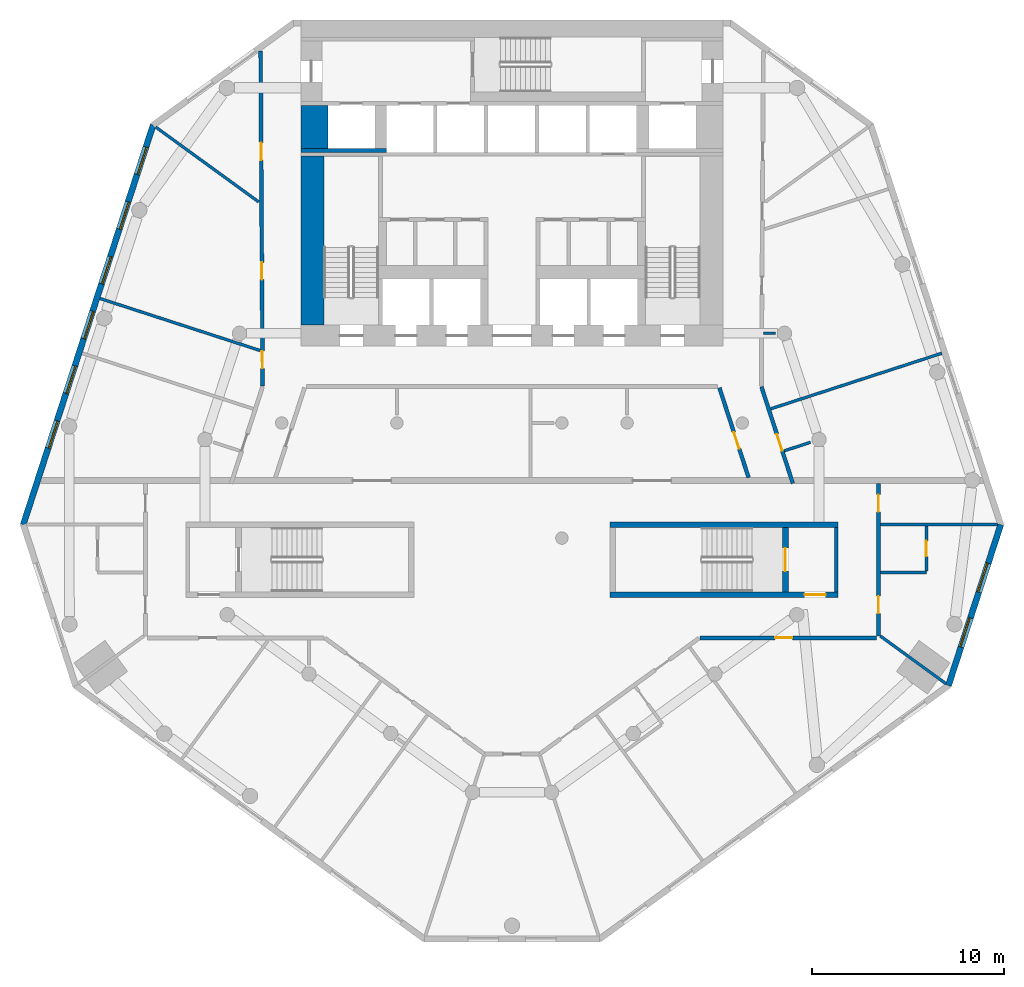
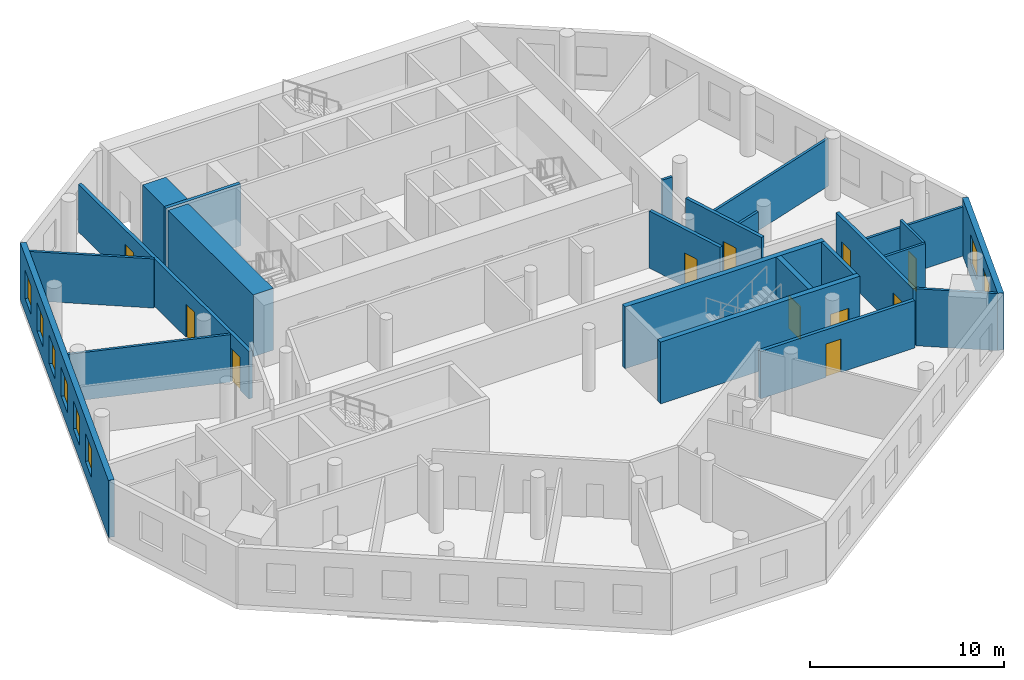
# One storey, part 4 of 9: 23 walls, 11 doors, 8 windows, 19 openings.
"""IFC4 building model written with IfcOpenShell, lengths in metres."""

import ifcopenshell
import ifcopenshell.guid

model = None  # the IFC model being written
_history = None  # IfcOwnerHistory: only IFC2X3 demands one
_inside = {}  # id of a spatial element -> (the spatial element, [elements in it])
_under = {}  # id of a project, library or spatial element -> (it, [spatial elements below it])
_declared = {}  # id of a project -> (the project, [libraries it declares])
_typed = {}  # id of a type object -> (the type object, [elements of that type])
_made_of = {}  # id of a material, layer set ... -> (it, [elements and type objects made of it])


def new_model(schema):
    """Start an empty IFC model of exactly this schema.

    Asked for "IFC4X3", IfcOpenShell would pick the latest addendum, in which some entities
    have other attributes; the version numbers below select the first issue.
    IFC2X3 requires an IfcOwnerHistory on every rooted entity: one is made here for all.
    """
    global model, _history
    if schema == "IFC4X3":
        model = ifcopenshell.file(schema_version=(4, 3, 0, 0))
    else:
        model = ifcopenshell.file(schema=schema)
    _inside.clear()
    _under.clear()
    _declared.clear()
    _typed.clear()
    _made_of.clear()
    _history = None
    if model.schema == "IFC2X3":
        org = make("IfcOrganization", Name="unknown")
        user = make(
            "IfcPersonAndOrganization",
            ThePerson=make("IfcPerson", FamilyName="unknown"),
            TheOrganization=org,
        )
        app = make(
            "IfcApplication",
            ApplicationDeveloper=org,
            Version="unknown",
            ApplicationFullName="unknown",
            ApplicationIdentifier="unknown",
        )
        _history = make(
            "IfcOwnerHistory",
            OwningUser=user,
            OwningApplication=app,
            ChangeAction="ADDED",
            CreationDate=0,
        )
    return model


def make(cls, **values):
    """One entity of the class cls with the attributes given. An attribute that is None is left unset."""
    return model.create_entity(
        cls, **{name: value for name, value in values.items() if value is not None}
    )


def rooted(cls, **values):
    """An entity with a GlobalId (a new one), such as an element, a storey or a relation."""
    return make(cls, GlobalId=ifcopenshell.guid.new(), OwnerHistory=_history, **values)


def si_unit(unit_type, name, prefix=None):
    """IfcSIUnit, for example si_unit("LENGTHUNIT", "METRE", prefix="MILLI")."""
    return make("IfcSIUnit", UnitType=unit_type, Prefix=prefix, Name=name)


def assignment(units):
    """IfcUnitAssignment: the units of a project."""
    return None if units is None else make("IfcUnitAssignment", Units=units)


def point(xyz):
    """IfcCartesianPoint."""
    return None if xyz is None else make("IfcCartesianPoint", Coordinates=xyz)


def direction(xyz):
    """IfcDirection."""
    return None if xyz is None else make("IfcDirection", DirectionRatios=xyz)


def frame(location, z_axis=None, x_axis=None):
    """IfcAxis2Placement3D, a coordinate frame: its origin and axes. An axis left out is left unset."""
    return make(
        "IfcAxis2Placement3D",
        Location=point(location),
        Axis=direction(z_axis),
        RefDirection=direction(x_axis),
    )


def frame_2d(location, x_axis=None):
    """IfcAxis2Placement2D, a coordinate frame in the plane: its origin and x axis."""
    return make(
        "IfcAxis2Placement2D", Location=point(location), RefDirection=direction(x_axis)
    )


def origin():
    """The frame at (0, 0, 0) with its axes left unset."""
    return frame((0.0, 0.0, 0.0))


def place(relative_to, where):
    """IfcLocalPlacement: puts the frame where relative to a parent placement (None: the world)."""
    return make(
        "IfcLocalPlacement", PlacementRelTo=relative_to, RelativePlacement=where
    )


def context(
    kind, dimensions, precision=None, world=None, true_north=None, identifier=None
):
    """IfcGeometricRepresentationContext, for example the 3D "Model" context."""
    return make(
        "IfcGeometricRepresentationContext",
        ContextIdentifier=identifier,
        ContextType=kind,
        CoordinateSpaceDimension=dimensions,
        Precision=precision,
        WorldCoordinateSystem=world,
        TrueNorth=true_north,
    )


def subcontext(parent, identifier, kind, view, scale=None):
    """IfcGeometricRepresentationSubContext, for example "Body" below "Model"."""
    return make(
        "IfcGeometricRepresentationSubContext",
        ContextIdentifier=identifier,
        ContextType=kind,
        ParentContext=parent,
        TargetScale=scale,
        TargetView=view,
    )


def project(units=None, contexts=None):
    """IfcProject with its units and contexts."""
    return rooted(
        "IfcProject",
        Name="project",
        RepresentationContexts=contexts,
        UnitsInContext=assignment(units),
    )


def spatial(cls, under=None, at=None, **own):
    """A site, building, storey or space (cls), placed at a placement, below another one or the project."""
    s = rooted(cls, ObjectPlacement=at, **own)
    if under is not None:
        _under.setdefault(under.id(), (under, []))[1].append(s)
    return s


def profile(cls, at=None, kind="AREA", **sizes):
    """A parametric profile (cls). Its sizes go by their IFC names, for example OverallWidth=200.0."""
    return make(cls, ProfileType=kind, Position=at, **sizes)


def rectangle(**sizes):
    """IfcRectangleProfileDef."""
    return profile("IfcRectangleProfileDef", **sizes)


def extrude(swept, where, along, depth):
    """IfcExtrudedAreaSolid: the profile swept, set in the frame where, extruded along a direction by depth."""
    return make(
        "IfcExtrudedAreaSolid",
        SweptArea=swept,
        Position=where,
        ExtrudedDirection=direction(along),
        Depth=depth,
    )


def shape(context_of_items, identifier, shape_type, items):
    """IfcShapeRepresentation: the items that make up one representation, for example the "Body"."""
    return make(
        "IfcShapeRepresentation",
        ContextOfItems=context_of_items,
        RepresentationIdentifier=identifier,
        RepresentationType=shape_type,
        Items=items,
    )


def material(Name=None, Category=None):
    """IfcMaterial."""
    return make("IfcMaterial", Name=Name, Category=Category)


def layer(
    of_material, thickness, ventilated=None, Name=None, Category=None, Priority=None
):
    """IfcMaterialLayer: one layer of a wall or slab, of a material (None: an air gap)."""
    return make(
        "IfcMaterialLayer",
        Material=of_material,
        LayerThickness=thickness,
        IsVentilated=ventilated,
        Name=Name,
        Category=Category,
        Priority=Priority,
    )


def layer_set(layers, Name=None):
    """IfcMaterialLayerSet."""
    return make("IfcMaterialLayerSet", MaterialLayers=layers, LayerSetName=Name)


def made_of(thing, what):
    """Note that an element or type object is made of a material, layer set ...; save() writes the relation."""
    if what is not None:
        _made_of.setdefault(what.id(), (what, []))[1].append(thing)
    return thing


def type_object(cls, material=None, **own):
    """A type object (cls), such as IfcWallType, which elements share."""
    return made_of(rooted(cls, **own), material)


def element(
    cls,
    number,
    at=None,
    inside=None,
    cuts=None,
    type_object=None,
    material=None,
    context=None,
    identifier="Body",
    shape_type=None,
    held_by="IfcProductDefinitionShape",
    body=None,
    shapes=None,
    **own,
):
    """One element of the class cls, such as IfcWall. Its Tag is "e" and its number.

    at: its placement. inside: the storey or other place that contains it. cuts: it is an
    opening in that element (IfcRelVoidsElement). A single representation is given by context,
    identifier, shape_type and body (its items); several are given by shapes. held_by: the class
    of the entity that holds the representations. save() writes the other relations.
    """
    e = rooted(cls, Tag="e%d" % number, ObjectPlacement=at, **own)
    if body is not None:
        shapes = [shape(context, identifier, shape_type, body)]
    if shapes is not None:
        e.Representation = make(held_by, Representations=shapes)
    if inside is not None:
        _inside.setdefault(inside.id(), (inside, []))[1].append(e)
    if cuts is not None:
        rooted(
            "IfcRelVoidsElement", RelatingBuildingElement=cuts, RelatedOpeningElement=e
        )
    if type_object is not None:
        _typed.setdefault(type_object.id(), (type_object, []))[1].append(e)
    return made_of(e, material)


def fill(opening, filler):
    """IfcRelFillsElement: the door or window that sits in an opening."""
    return rooted(
        "IfcRelFillsElement",
        RelatingOpeningElement=opening,
        RelatedBuildingElement=filler,
    )


def aggregate(whole, parts):
    """IfcRelAggregates: a whole, such as a stair, and the parts it consists of."""
    return rooted("IfcRelAggregates", RelatingObject=whole, RelatedObjects=parts)


def save(model, path):
    """Write the relations noted so far, then the file.

    IfcRelAggregates (storeys below a building ...), IfcRelContainedInSpatialStructure (elements
    in a storey), IfcRelDefinesByType, IfcRelAssociatesMaterial and IfcRelDeclares: one each for
    every whole, place, type object, material and project.
    """
    for whole, parts in _under.values():
        aggregate(whole, parts)
    for where, things in _inside.values():
        rooted(
            "IfcRelContainedInSpatialStructure",
            RelatedElements=things,
            RelatingStructure=where,
        )
    for kind, things in _typed.values():
        rooted("IfcRelDefinesByType", RelatedObjects=things, RelatingType=kind)
    for what, things in _made_of.values():
        rooted("IfcRelAssociatesMaterial", RelatedObjects=things, RelatingMaterial=what)
    for by, libraries in _declared.values():
        rooted("IfcRelDeclares", RelatingContext=by, RelatedDefinitions=libraries)
    model.write(path)


model = new_model("IFC4")

# Units and contexts
model_context = context("Model", 3, precision=1e-05, world=origin(), true_north=direction((0.0, 1.0)))
body_context = subcontext(model_context, "Body", "Model", "MODEL_VIEW")
ifc_project = project(units=[si_unit("LENGTHUNIT", "METRE"), si_unit("AREAUNIT", "SQUARE_METRE"), si_unit("VOLUMEUNIT", "CUBIC_METRE"), si_unit("PLANEANGLEUNIT", "RADIAN"), si_unit("MASSUNIT", "GRAM", prefix="KILO")], contexts=[model_context])

# Site, building, storey
site_placement = place(None, origin())
site = spatial("IfcSite", under=ifc_project, at=site_placement, CompositionType="ELEMENT")
building_placement = place(site_placement, origin())
building = spatial("IfcBuilding", under=site, at=building_placement, Name="White Candle Pilgrim Tower", CompositionType="ELEMENT")
storey_placement = place(building_placement, frame((0.0, 0.0, 129.800048828125)))
storey = spatial("IfcBuildingStorey", under=building, at=storey_placement, Name="L29", CompositionType="ELEMENT", Elevation=129.800048828125)

# Walls
ifc_material_1 = material(Name="Concrete C60/75", Category="concrete")
ifc_layer_1 = layer(ifc_material_1, 1.39990234375)
ifc_layer_set_1 = layer_set([ifc_layer_1], Name="Core wall 1400 mm Concrete C60/75")
wall_type_1 = type_object("IfcWallType", Name="Core wall 1400 mm Concrete C60/75", PredefinedType="SHEAR", material=ifc_layer_set_1)
wall_1_placement = place(storey_placement, frame((59.699951171875, 81.300048828125, 0.0), z_axis=(0.0, 0.0, 1.0), x_axis=(0.0, 1.0, 0.0)))
element("IfcWall", 1, at=wall_1_placement, inside=storey, type_object=wall_type_1, Name="WL-L29-C41", PredefinedType="SHEAR", context=body_context, shape_type="SweptSolid", body=[
    extrude(rectangle(XDim=2.25, YDim=1.39990234375, at=frame_2d((1.125, 0.0))), origin(), (0.0, 0.0, 1.0), 3.89990234375),
])
ifc_layer_2 = layer(ifc_material_1, 0.199951171875)
ifc_layer_set_2 = layer_set([ifc_layer_2], Name="Core wall 200 mm Concrete C60/75")
wall_type_2 = type_object("IfcWallType", Name="Core wall 200 mm Concrete C60/75", PredefinedType="SHEAR", material=ifc_layer_set_2)
wall_2_placement = place(storey_placement, frame((86.89990234375, 58.199951171875, 0.0), z_axis=(0.0, 0.0, 1.0), x_axis=(0.0, 1.0, 0.0)))
element("IfcWall", 2, at=wall_2_placement, inside=storey, type_object=wall_type_2, Name="WL-L29-C08", PredefinedType="SHEAR", context=body_context, shape_type="SweptSolid", body=[
    extrude(rectangle(XDim=3.35009765625, YDim=0.199951171875, at=frame_2d((1.675048828125, 0.0))), origin(), (0.0, 0.0, 1.0), 3.89990234375),
])
wall_3_placement = place(storey_placement, frame((59.0, 81.199951171875, 0.0), z_axis=(0.0, 0.0, 1.0), x_axis=(1.0, 0.0, 0.0)))
element("IfcWall", 3, at=wall_3_placement, inside=storey, type_object=wall_type_2, Name="WL-L29-C35", PredefinedType="SHEAR", context=body_context, shape_type="SweptSolid", body=[
    extrude(rectangle(XDim=4.449951171875, YDim=0.199951171875, at=frame_2d((2.22509765625, 0.0))), origin(), (0.0, 0.0, 1.0), 3.89990234375),
])

# Wall, openings, doors
ifc_material_2 = material(Name="Gypsum board on steel studs", Category="steel")
ifc_layer_3 = layer(ifc_material_2, 0.199951171875)
ifc_layer_set_3 = layer_set([ifc_layer_3], Name="Corridor wall 200 mm EI 45")
wall_type_3 = type_object("IfcWallType", Name="Corridor wall 200 mm EI 45", PredefinedType="PARTITIONING", material=ifc_layer_set_3)
wall_4_placement = place(storey_placement, frame((57.00390625, 68.916015625, 0.0), z_axis=(0.0, 0.0, 1.0), x_axis=(-0.005949698459, 0.999982300387, 0.0)))
wall_4 = element("IfcWall", 4, at=wall_4_placement, inside=storey, type_object=wall_type_3, Name="WL-L29-P003", PredefinedType="PARTITIONING", context=body_context, shape_type="SweptSolid", body=[
    extrude(rectangle(XDim=17.48046875, YDim=0.199951171875, at=frame_2d((8.740234375, 0.0))), origin(), (0.0, 0.0, 1.0), 3.0),
])
opening_1_placement = place(wall_4_placement, frame((0.931396484375, 0.0, 0.0)))
opening_1 = element("IfcOpeningElement", 5, at=opening_1_placement, cuts=wall_4, Name="Opening T09-118", PredefinedType="OPENING", context=body_context, shape_type="SweptSolid", body=[
    extrude(rectangle(XDim=0.89990234375, YDim=2.10009765625, at=frame_2d((0.449951171875, 1.050048828125))), frame((0.0, 0.10986328125, 0.0), z_axis=(0.0, -1.0, 0.0), x_axis=(1.0, 0.0, 0.0)), (0.0, 0.0, 1.0), 0.219970703125),
])
opening_2_placement = place(wall_4_placement, frame((5.552978515625, 0.0, 0.0)))
opening_2 = element("IfcOpeningElement", 6, at=opening_2_placement, cuts=wall_4, Name="Opening T09-119", PredefinedType="OPENING", context=body_context, shape_type="SweptSolid", body=[
    extrude(rectangle(XDim=0.89990234375, YDim=2.10009765625, at=frame_2d((0.449951171875, 1.050048828125))), frame((0.0, 0.10986328125, 0.0), z_axis=(0.0, -1.0, 0.0), x_axis=(1.0, 0.0, 0.0)), (0.0, 0.0, 1.0), 0.219970703125),
])
opening_3_placement = place(wall_4_placement, frame((11.786376953125, 0.0, 0.0)))
opening_3 = element("IfcOpeningElement", 7, at=opening_3_placement, cuts=wall_4, Name="Opening T09-120", PredefinedType="OPENING", context=body_context, shape_type="SweptSolid", body=[
    extrude(rectangle(XDim=0.89990234375, YDim=2.10009765625, at=frame_2d((0.449951171875, 1.050048828125))), frame((0.0, 0.10986328125, 0.0), z_axis=(0.0, -1.0, 0.0), x_axis=(1.0, 0.0, 0.0)), (0.0, 0.0, 1.0), 0.219970703125),
])
ifc_material_3 = material(Name="Steel door leaf", Category="steel")
door_type_1 = type_object("IfcDoorType", Name="Fire door 900 x 2100 EI 30", OperationType="NOTDEFINED", PredefinedType="DOOR", material=ifc_material_3)
door_1_placement = place(opening_1_placement, origin())
door_1 = element("IfcDoor", 8, at=door_1_placement, inside=storey, type_object=door_type_1, Name="Door T09-118", OperationType="SINGLE_SWING_RIGHT", OverallHeight=2.10009765625, OverallWidth=0.89990234375, PredefinedType="DOOR", context=body_context, shape_type="SweptSolid", body=[
    extrude(rectangle(XDim=0.89990234375, YDim=2.10009765625, at=frame_2d((0.449951171875, 1.050048828125))), frame((0.0, 0.02490234375, 0.0), z_axis=(0.0, -1.0, 0.0), x_axis=(1.0, 0.0, 0.0)), (0.0, 0.0, 1.0), 0.050048828125),
])
fill(opening_1, door_1)
door_2_placement = place(opening_2_placement, origin())
door_2 = element("IfcDoor", 9, at=door_2_placement, inside=storey, type_object=door_type_1, Name="Door T09-119", OperationType="SINGLE_SWING_LEFT", OverallHeight=2.10009765625, OverallWidth=0.89990234375, PredefinedType="DOOR", context=body_context, shape_type="SweptSolid", body=[
    extrude(rectangle(XDim=0.89990234375, YDim=2.10009765625, at=frame_2d((0.449951171875, 1.050048828125))), frame((0.0, 0.02490234375, 0.0), z_axis=(0.0, -1.0, 0.0), x_axis=(1.0, 0.0, 0.0)), (0.0, 0.0, 1.0), 0.050048828125),
])
fill(opening_2, door_2)
door_3_placement = place(opening_3_placement, origin())
door_3 = element("IfcDoor", 10, at=door_3_placement, inside=storey, type_object=door_type_1, Name="Door T09-120", OperationType="SINGLE_SWING_RIGHT", OverallHeight=2.10009765625, OverallWidth=0.89990234375, PredefinedType="DOOR", context=body_context, shape_type="SweptSolid", body=[
    extrude(rectangle(XDim=0.89990234375, YDim=2.10009765625, at=frame_2d((0.449951171875, 1.050048828125))), frame((0.0, 0.02490234375, 0.0), z_axis=(0.0, -1.0, 0.0), x_axis=(1.0, 0.0, 0.0)), (0.0, 0.0, 1.0), 0.050048828125),
])
fill(opening_3, door_3)

# Wall, opening, door
wall_5_placement = place(storey_placement, frame((83.0009765625, 68.884521484375, 0.0), z_axis=(0.0, 0.0, 1.0), x_axis=(0.309051657945, -0.95104525272, 0.0)))
wall_5 = element("IfcWall", 11, at=wall_5_placement, inside=storey, type_object=wall_type_3, Name="WL-L29-P005", PredefinedType="PARTITIONING", context=body_context, shape_type="SweptSolid", body=[
    extrude(rectangle(XDim=5.29345703125, YDim=0.199951171875, at=frame_2d((2.646728515625, 0.0))), origin(), (0.0, 0.0, 1.0), 3.599853515625),
])
opening_4_placement = place(wall_5_placement, frame((2.602294921875, 0.0, 0.0)))
opening_4 = element("IfcOpeningElement", 12, at=opening_4_placement, cuts=wall_5, Name="Opening T09-124", PredefinedType="OPENING", context=body_context, shape_type="SweptSolid", body=[
    extrude(rectangle(XDim=0.89990234375, YDim=2.10009765625, at=frame_2d((0.449951171875, 1.050048828125))), frame((0.0, 0.10986328125, 0.0), z_axis=(0.0, -1.0, 0.0), x_axis=(1.0, 0.0, 0.0)), (0.0, 0.0, 1.0), 0.219970703125),
])
door_4_placement = place(opening_4_placement, origin())
door_4 = element("IfcDoor", 13, at=door_4_placement, inside=storey, type_object=door_type_1, Name="Door T09-124", OperationType="SINGLE_SWING_RIGHT", OverallHeight=2.10009765625, OverallWidth=0.89990234375, PredefinedType="DOOR", context=body_context, shape_type="SweptSolid", body=[
    extrude(rectangle(XDim=0.89990234375, YDim=2.10009765625, at=frame_2d((0.449951171875, 1.050048828125))), frame((0.0, 0.02490234375, 0.0), z_axis=(0.0, -1.0, 0.0), x_axis=(1.0, 0.0, 0.0)), (0.0, 0.0, 1.0), 0.050048828125),
])
fill(opening_4, door_4)

# Wall, openings, doors
wall_6_placement = place(storey_placement, frame((89.10009765625, 63.85009765625, 0.0), z_axis=(0.0, 0.0, 1.0), x_axis=(0.0, -1.0, 0.0)))
wall_6 = element("IfcWall", 14, at=wall_6_placement, inside=storey, type_object=wall_type_3, Name="WL-L29-P006", PredefinedType="PARTITIONING", context=body_context, shape_type="SweptSolid", body=[
    extrude(rectangle(XDim=7.9501953125, YDim=0.199951171875, at=frame_2d((3.97509765625, 0.0))), origin(), (0.0, 0.0, 1.0), 3.599853515625),
])
opening_5_placement = place(wall_6_placement, frame((5.867919921875, 0.0, 0.0)))
opening_5 = element("IfcOpeningElement", 15, at=opening_5_placement, cuts=wall_6, Name="Opening T09-113", PredefinedType="OPENING", context=body_context, shape_type="SweptSolid", body=[
    extrude(rectangle(XDim=0.89990234375, YDim=2.10009765625, at=frame_2d((0.449951171875, 1.050048828125))), frame((0.0, 0.10986328125, 0.0), z_axis=(0.0, -1.0, 0.0), x_axis=(1.0, 0.0, 0.0)), (0.0, 0.0, 1.0), 0.219970703125),
])
opening_6_placement = place(wall_6_placement, frame((0.587890625, 0.0, 0.0)))
opening_6 = element("IfcOpeningElement", 16, at=opening_6_placement, cuts=wall_6, Name="Opening T09-125", PredefinedType="OPENING", context=body_context, shape_type="SweptSolid", body=[
    extrude(rectangle(XDim=0.89990234375, YDim=2.10009765625, at=frame_2d((0.449951171875, 1.050048828125))), frame((0.0, 0.10986328125, 0.0), z_axis=(0.0, -1.0, 0.0), x_axis=(1.0, 0.0, 0.0)), (0.0, 0.0, 1.0), 0.219970703125),
])
door_5_placement = place(opening_5_placement, origin())
door_5 = element("IfcDoor", 17, at=door_5_placement, inside=storey, type_object=door_type_1, Name="Door T09-113", OperationType="SINGLE_SWING_LEFT", OverallHeight=2.10009765625, OverallWidth=0.89990234375, PredefinedType="DOOR", context=body_context, shape_type="SweptSolid", body=[
    extrude(rectangle(XDim=0.89990234375, YDim=2.10009765625, at=frame_2d((0.449951171875, 1.050048828125))), frame((0.0, 0.02490234375, 0.0), z_axis=(0.0, -1.0, 0.0), x_axis=(1.0, 0.0, 0.0)), (0.0, 0.0, 1.0), 0.050048828125),
])
fill(opening_5, door_5)
door_6_placement = place(opening_6_placement, origin())
door_6 = element("IfcDoor", 18, at=door_6_placement, inside=storey, type_object=door_type_1, Name="Door T09-125", OperationType="SINGLE_SWING_LEFT", OverallHeight=2.10009765625, OverallWidth=0.89990234375, PredefinedType="DOOR", context=body_context, shape_type="SweptSolid", body=[
    extrude(rectangle(XDim=0.89990234375, YDim=2.10009765625, at=frame_2d((0.449951171875, 1.050048828125))), frame((0.0, 0.02490234375, 0.0), z_axis=(0.0, -1.0, 0.0), x_axis=(1.0, 0.0, 0.0)), (0.0, 0.0, 1.0), 0.050048828125),
])
fill(opening_6, door_6)

# Wall, opening, door
wall_7_placement = place(storey_placement, frame((89.0, 55.800048828125, 0.0), z_axis=(0.0, 0.0, 1.0), x_axis=(-1.0, 0.0, 0.0)))
wall_7 = element("IfcWall", 19, at=wall_7_placement, inside=storey, type_object=wall_type_3, Name="WL-L29-P007", PredefinedType="PARTITIONING", context=body_context, shape_type="SweptSolid", body=[
    extrude(rectangle(XDim=9.2001953125, YDim=0.199951171875, at=frame_2d((4.60009765625, 0.0))), origin(), (0.0, 0.0, 1.0), 3.0),
])
opening_7_placement = place(wall_7_placement, frame((4.391357421875, 0.0, 0.0)))
opening_7 = element("IfcOpeningElement", 20, at=opening_7_placement, cuts=wall_7, Name="Opening T09-111", PredefinedType="OPENING", context=body_context, shape_type="SweptSolid", body=[
    extrude(rectangle(XDim=0.89990234375, YDim=2.10009765625, at=frame_2d((0.449951171875, 1.050048828125))), frame((0.0, 0.10986328125, 0.0), z_axis=(0.0, -1.0, 0.0), x_axis=(1.0, 0.0, 0.0)), (0.0, 0.0, 1.0), 0.219970703125),
])
door_7_placement = place(opening_7_placement, origin())
door_7 = element("IfcDoor", 21, at=door_7_placement, inside=storey, type_object=door_type_1, Name="Door T09-111", OperationType="SINGLE_SWING_LEFT", OverallHeight=2.10009765625, OverallWidth=0.89990234375, PredefinedType="DOOR", context=body_context, shape_type="SweptSolid", body=[
    extrude(rectangle(XDim=0.89990234375, YDim=2.10009765625, at=frame_2d((0.449951171875, 1.050048828125))), frame((0.0, 0.02490234375, 0.0), z_axis=(0.0, -1.0, 0.0), x_axis=(1.0, 0.0, 0.0)), (0.0, 0.0, 1.0), 0.050048828125),
])
fill(opening_7, door_7)

wall_8_placement = place(storey_placement, frame((82.331298828125, 64.14990234375, 0.0), z_axis=(0.0, 0.0, 1.0), x_axis=(-0.309031112369, 0.951051928965, 0.0)))
wall_8 = element("IfcWall", 22, at=wall_8_placement, inside=storey, type_object=wall_type_3, Name="WL-L29-P015", PredefinedType="PARTITIONING", context=body_context, shape_type="SweptSolid", body=[
    extrude(rectangle(XDim=4.921875, YDim=0.199951171875, at=frame_2d((2.4609375, 0.0))), origin(), (0.0, 0.0, 1.0), 3.599853515625),
])
opening_8_placement = place(wall_8_placement, frame((1.58447265625, 0.0, 0.0)))
opening_8 = element("IfcOpeningElement", 23, at=opening_8_placement, cuts=wall_8, Name="Opening T09-126", PredefinedType="OPENING", context=body_context, shape_type="SweptSolid", body=[
    extrude(rectangle(XDim=0.89990234375, YDim=2.10009765625, at=frame_2d((0.449951171875, 1.050048828125))), frame((0.0, 0.10986328125, 0.0), z_axis=(0.0, -1.0, 0.0), x_axis=(1.0, 0.0, 0.0)), (0.0, 0.0, 1.0), 0.219970703125),
])
door_8_placement = place(opening_8_placement, origin())
door_8 = element("IfcDoor", 24, at=door_8_placement, inside=storey, type_object=door_type_1, Name="Door T09-126", OperationType="SINGLE_SWING_RIGHT", OverallHeight=2.10009765625, OverallWidth=0.89990234375, PredefinedType="DOOR", context=body_context, shape_type="SweptSolid", body=[
    extrude(rectangle(XDim=0.89990234375, YDim=2.10009765625, at=frame_2d((0.449951171875, 1.050048828125))), frame((0.0, 0.02490234375, 0.0), z_axis=(0.0, -1.0, 0.0), x_axis=(1.0, 0.0, 0.0)), (0.0, 0.0, 1.0), 0.050048828125),
])
fill(opening_8, door_8)

# Wall, openings, windows
ifc_material_4 = material(Name="Precast concrete C40/50", Category="concrete")
ifc_layer_4 = layer(ifc_material_4, 0.320068359375)
ifc_layer_set_4 = layer_set([ifc_layer_4], Name="Facade wall EW1 precast concrete C40/50 pier wall with timber-lined reveals")
wall_type_4 = type_object("IfcWallType", Name="Facade wall EW1 precast concrete C40/50 pier wall with timber-lined reveals", PredefinedType="SOLIDWALL", material=ifc_layer_set_4)
wall_9_placement = place(storey_placement, frame((92.74755859375, 53.31494140625, 0.0), z_axis=(0.0, 0.0, 1.0), x_axis=(0.309007169839, 0.951059708424, 0.0)))
wall_9 = element("IfcWall", 25, at=wall_9_placement, inside=storey, type_object=wall_type_4, Name="Facade wall L29 E chamfer", PredefinedType="SOLIDWALL", context=body_context, shape_type="SweptSolid", body=[
    extrude(rectangle(XDim=8.815673828125, YDim=0.320068359375, at=frame_2d((4.40771484375, 0.0))), origin(), (0.0, 0.0, 1.0), 3.599853515625),
])
opening_9_placement = place(wall_9_placement, frame((2.10791015625, 0.0, 0.89990234375)))
opening_9 = element("IfcOpeningElement", 26, at=opening_9_placement, cuts=wall_9, Name="Opening W2", PredefinedType="OPENING", context=body_context, shape_type="SweptSolid", body=[
    extrude(rectangle(XDim=1.60009765625, YDim=1.800048828125, at=frame_2d((0.800048828125, 0.89990234375))), frame((0.0, 0.169921875, 0.0), z_axis=(0.0, -1.0, 0.0), x_axis=(1.0, 0.0, 0.0)), (0.0, 0.0, 1.0), 0.340087890625),
])
opening_10_placement = place(wall_9_placement, frame((5.10791015625, 0.0, 0.89990234375)))
opening_10 = element("IfcOpeningElement", 27, at=opening_10_placement, cuts=wall_9, Name="Opening W2", PredefinedType="OPENING", context=body_context, shape_type="SweptSolid", body=[
    extrude(rectangle(XDim=1.60009765625, YDim=1.800048828125, at=frame_2d((0.800048828125, 0.89990234375))), frame((0.0, 0.169921875, 0.0), z_axis=(0.0, -1.0, 0.0), x_axis=(1.0, 0.0, 0.0)), (0.0, 0.0, 1.0), 0.340087890625),
])
ifc_material_5 = material(Name="Timber frame with triple glazing", Category="wood")
window_type_1 = type_object("IfcWindowType", Name="Window W2 1600x1800 timber frame triple glazing", PartitioningType="SINGLE_PANEL", PredefinedType="WINDOW", material=ifc_material_5)
window_1_placement = place(opening_9_placement, origin())
window_1 = element("IfcWindow", 28, at=window_1_placement, inside=storey, type_object=window_type_1, Name="Window W2 L29 E chamfer 1", OverallHeight=1.800048828125, OverallWidth=1.60009765625, PartitioningType="SINGLE_PANEL", PredefinedType="WINDOW", context=body_context, shape_type="SweptSolid", body=[
    extrude(rectangle(XDim=1.60009765625, YDim=1.800048828125, at=frame_2d((0.800048828125, 0.89990234375))), frame((0.0, 0.070068359375, 0.0), z_axis=(0.0, -1.0, 0.0), x_axis=(1.0, 0.0, 0.0)), (0.0, 0.0, 1.0), 0.06005859375),
])
fill(opening_9, window_1)
window_2_placement = place(opening_10_placement, origin())
window_2 = element("IfcWindow", 29, at=window_2_placement, inside=storey, type_object=window_type_1, Name="Window W2 L29 E chamfer 2", OverallHeight=1.800048828125, OverallWidth=1.60009765625, PartitioningType="SINGLE_PANEL", PredefinedType="WINDOW", context=body_context, shape_type="SweptSolid", body=[
    extrude(rectangle(XDim=1.60009765625, YDim=1.800048828125, at=frame_2d((0.800048828125, 0.89990234375))), frame((0.0, 0.070068359375, 0.0), z_axis=(0.0, -1.0, 0.0), x_axis=(1.0, 0.0, 0.0)), (0.0, 0.0, 1.0), 0.06005859375),
])
fill(opening_10, window_2)

wall_10_placement = place(storey_placement, frame((51.29345703125, 82.520751953125, 0.0), z_axis=(0.0, 0.0, 1.0), x_axis=(-0.309009164157, -0.951059060452, 0.0)))
wall_10 = element("IfcWall", 30, at=wall_10_placement, inside=storey, type_object=wall_type_4, Name="Facade wall L29 WNW", PredefinedType="SOLIDWALL", context=body_context, shape_type="SweptSolid", body=[
    extrude(rectangle(XDim=21.89306640625, YDim=0.320068359375, at=frame_2d((10.946533203125, 0.0))), origin(), (0.0, 0.0, 1.0), 3.599853515625),
])
opening_11_placement = place(wall_10_placement, frame((1.196533203125, 0.0, 0.89990234375)))
opening_11 = element("IfcOpeningElement", 31, at=opening_11_placement, cuts=wall_10, Name="Opening W1", PredefinedType="OPENING", context=body_context, shape_type="SweptSolid", body=[
    extrude(rectangle(XDim=1.5, YDim=1.800048828125, at=frame_2d((0.75, 0.89990234375))), frame((0.0, 0.169921875, 0.0), z_axis=(0.0, -1.0, 0.0), x_axis=(1.0, 0.0, 0.0)), (0.0, 0.0, 1.0), 0.340087890625),
])
opening_12_placement = place(wall_10_placement, frame((4.196533203125, 0.0, 0.89990234375)))
opening_12 = element("IfcOpeningElement", 32, at=opening_12_placement, cuts=wall_10, Name="Opening W1", PredefinedType="OPENING", context=body_context, shape_type="SweptSolid", body=[
    extrude(rectangle(XDim=1.5, YDim=1.800048828125, at=frame_2d((0.75, 0.89990234375))), frame((0.0, 0.169921875, 0.0), z_axis=(0.0, -1.0, 0.0), x_axis=(1.0, 0.0, 0.0)), (0.0, 0.0, 1.0), 0.340087890625),
])
opening_13_placement = place(wall_10_placement, frame((7.196533203125, 0.0, 0.89990234375)))
opening_13 = element("IfcOpeningElement", 33, at=opening_13_placement, cuts=wall_10, Name="Opening W1", PredefinedType="OPENING", context=body_context, shape_type="SweptSolid", body=[
    extrude(rectangle(XDim=1.5, YDim=1.800048828125, at=frame_2d((0.75, 0.89990234375))), frame((0.0, 0.169921875, 0.0), z_axis=(0.0, -1.0, 0.0), x_axis=(1.0, 0.0, 0.0)), (0.0, 0.0, 1.0), 0.340087890625),
])
opening_14_placement = place(wall_10_placement, frame((10.196533203125, 0.0, 0.89990234375)))
opening_14 = element("IfcOpeningElement", 34, at=opening_14_placement, cuts=wall_10, Name="Opening W1", PredefinedType="OPENING", context=body_context, shape_type="SweptSolid", body=[
    extrude(rectangle(XDim=1.5, YDim=1.800048828125, at=frame_2d((0.75, 0.89990234375))), frame((0.0, 0.169921875, 0.0), z_axis=(0.0, -1.0, 0.0), x_axis=(1.0, 0.0, 0.0)), (0.0, 0.0, 1.0), 0.340087890625),
])
opening_15_placement = place(wall_10_placement, frame((13.196533203125, 0.0, 0.89990234375)))
opening_15 = element("IfcOpeningElement", 35, at=opening_15_placement, cuts=wall_10, Name="Opening W1", PredefinedType="OPENING", context=body_context, shape_type="SweptSolid", body=[
    extrude(rectangle(XDim=1.5, YDim=1.800048828125, at=frame_2d((0.75, 0.89990234375))), frame((0.0, 0.169921875, 0.0), z_axis=(0.0, -1.0, 0.0), x_axis=(1.0, 0.0, 0.0)), (0.0, 0.0, 1.0), 0.340087890625),
])
opening_16_placement = place(wall_10_placement, frame((16.196533203125, 0.0, 0.89990234375)))
opening_16 = element("IfcOpeningElement", 36, at=opening_16_placement, cuts=wall_10, Name="Opening W1", PredefinedType="OPENING", context=body_context, shape_type="SweptSolid", body=[
    extrude(rectangle(XDim=1.5, YDim=1.800048828125, at=frame_2d((0.75, 0.89990234375))), frame((0.0, 0.169921875, 0.0), z_axis=(0.0, -1.0, 0.0), x_axis=(1.0, 0.0, 0.0)), (0.0, 0.0, 1.0), 0.340087890625),
])
window_type_2 = type_object("IfcWindowType", Name="Window W1 1500x1800 timber frame triple glazing", PartitioningType="SINGLE_PANEL", PredefinedType="WINDOW", material=ifc_material_5)
window_3_placement = place(opening_11_placement, origin())
window_3 = element("IfcWindow", 37, at=window_3_placement, inside=storey, type_object=window_type_2, Name="Window W1 L29 WNW 1", OverallHeight=1.800048828125, OverallWidth=1.5, PartitioningType="SINGLE_PANEL", PredefinedType="WINDOW", context=body_context, shape_type="SweptSolid", body=[
    extrude(rectangle(XDim=1.5, YDim=1.800048828125, at=frame_2d((0.75, 0.89990234375))), frame((0.0, 0.070068359375, 0.0), z_axis=(0.0, -1.0, 0.0), x_axis=(1.0, 0.0, 0.0)), (0.0, 0.0, 1.0), 0.06005859375),
])
fill(opening_11, window_3)
window_4_placement = place(opening_12_placement, origin())
window_4 = element("IfcWindow", 38, at=window_4_placement, inside=storey, type_object=window_type_2, Name="Window W1 L29 WNW 2", OverallHeight=1.800048828125, OverallWidth=1.5, PartitioningType="SINGLE_PANEL", PredefinedType="WINDOW", context=body_context, shape_type="SweptSolid", body=[
    extrude(rectangle(XDim=1.5, YDim=1.800048828125, at=frame_2d((0.75, 0.89990234375))), frame((0.0, 0.070068359375, 0.0), z_axis=(0.0, -1.0, 0.0), x_axis=(1.0, 0.0, 0.0)), (0.0, 0.0, 1.0), 0.06005859375),
])
fill(opening_12, window_4)
window_5_placement = place(opening_13_placement, origin())
window_5 = element("IfcWindow", 39, at=window_5_placement, inside=storey, type_object=window_type_2, Name="Window W1 L29 WNW 3", OverallHeight=1.800048828125, OverallWidth=1.5, PartitioningType="SINGLE_PANEL", PredefinedType="WINDOW", context=body_context, shape_type="SweptSolid", body=[
    extrude(rectangle(XDim=1.5, YDim=1.800048828125, at=frame_2d((0.75, 0.89990234375))), frame((0.0, 0.070068359375, 0.0), z_axis=(0.0, -1.0, 0.0), x_axis=(1.0, 0.0, 0.0)), (0.0, 0.0, 1.0), 0.06005859375),
])
fill(opening_13, window_5)
window_6_placement = place(opening_14_placement, origin())
window_6 = element("IfcWindow", 40, at=window_6_placement, inside=storey, type_object=window_type_2, Name="Window W1 L29 WNW 4", OverallHeight=1.800048828125, OverallWidth=1.5, PartitioningType="SINGLE_PANEL", PredefinedType="WINDOW", context=body_context, shape_type="SweptSolid", body=[
    extrude(rectangle(XDim=1.5, YDim=1.800048828125, at=frame_2d((0.75, 0.89990234375))), frame((0.0, 0.070068359375, 0.0), z_axis=(0.0, -1.0, 0.0), x_axis=(1.0, 0.0, 0.0)), (0.0, 0.0, 1.0), 0.06005859375),
])
fill(opening_14, window_6)
window_7_placement = place(opening_15_placement, origin())
window_7 = element("IfcWindow", 41, at=window_7_placement, inside=storey, type_object=window_type_2, Name="Window W1 L29 WNW 5", OverallHeight=1.800048828125, OverallWidth=1.5, PartitioningType="SINGLE_PANEL", PredefinedType="WINDOW", context=body_context, shape_type="SweptSolid", body=[
    extrude(rectangle(XDim=1.5, YDim=1.800048828125, at=frame_2d((0.75, 0.89990234375))), frame((0.0, 0.070068359375, 0.0), z_axis=(0.0, -1.0, 0.0), x_axis=(1.0, 0.0, 0.0)), (0.0, 0.0, 1.0), 0.06005859375),
])
fill(opening_15, window_7)
window_8_placement = place(opening_16_placement, origin())
window_8 = element("IfcWindow", 42, at=window_8_placement, inside=storey, type_object=window_type_2, Name="Window W1 L29 WNW 6", OverallHeight=1.800048828125, OverallWidth=1.5, PartitioningType="SINGLE_PANEL", PredefinedType="WINDOW", context=body_context, shape_type="SweptSolid", body=[
    extrude(rectangle(XDim=1.5, YDim=1.800048828125, at=frame_2d((0.75, 0.89990234375))), frame((0.0, 0.070068359375, 0.0), z_axis=(0.0, -1.0, 0.0), x_axis=(1.0, 0.0, 0.0)), (0.0, 0.0, 1.0), 0.06005859375),
])
fill(opening_16, window_8)

# Walls
ifc_layer_5 = layer(ifc_material_2, 0.14990234375)
ifc_layer_set_5 = layer_set([ifc_layer_5], Name="Partition 150 mm EI 60")
wall_type_5 = type_object("IfcWallType", Name="Partition 150 mm EI 60", PredefinedType="PARTITIONING", material=ifc_layer_set_5)
wall_11_placement = place(storey_placement, frame((51.4296875, 82.421875, 0.0), z_axis=(0.0, 0.0, 1.0), x_axis=(0.809017368716, -0.587784737056, 0.0)))
element("IfcWall", 43, at=wall_11_placement, inside=storey, type_object=wall_type_5, Name="WL-L29-P016", PredefinedType="PARTITIONING", context=body_context, shape_type="SweptSolid", body=[
    extrude(rectangle(XDim=6.64111328125, YDim=0.14990234375, at=frame_2d((3.320556640625, 0.0))), origin(), (0.0, 0.0, 1.0), 3.099853515625),
])
wall_12_placement = place(storey_placement, frame((92.611572265625, 53.413818359375, 0.0), z_axis=(0.0, 0.0, 1.0), x_axis=(-0.809033589119, 0.587762410909, 0.0)))
element("IfcWall", 44, at=wall_12_placement, inside=storey, type_object=wall_type_5, Name="WL-L29-P021", PredefinedType="PARTITIONING", context=body_context, shape_type="SweptSolid", body=[
    extrude(rectangle(XDim=4.221435546875, YDim=0.14990234375, at=frame_2d((2.11083984375, 0.0))), origin(), (0.0, 0.0, 1.0), 3.599853515625),
])
wall_13_placement = place(storey_placement, frame((95.3037109375, 61.69921875, 0.0), z_axis=(0.0, 0.0, 1.0), x_axis=(-1.0, 0.0, 0.0)))
element("IfcWall", 45, at=wall_13_placement, inside=storey, type_object=wall_type_5, Name="WL-L29-P022", PredefinedType="PARTITIONING", context=body_context, shape_type="SweptSolid", body=[
    extrude(rectangle(XDim=6.103759765625, YDim=0.14990234375, at=frame_2d((3.0517578125, 0.0))), origin(), (0.0, 0.0, 1.0), 3.099853515625),
])
wall_14_placement = place(storey_placement, frame((48.526611328125, 73.487060546875, 0.0), z_axis=(0.0, 0.0, 1.0), x_axis=(0.951055133428, -0.309021250372, 0.0)))
element("IfcWall", 46, at=wall_14_placement, inside=storey, type_object=wall_type_5, Name="WL-L29-P024", PredefinedType="PARTITIONING", context=body_context, shape_type="SweptSolid", body=[
    extrude(rectangle(XDim=8.77197265625, YDim=0.14990234375, at=frame_2d((4.385986328125, 0.0))), origin(), (0.0, 0.0, 1.0), 3.0),
])
wall_15_placement = place(storey_placement, frame((89.199951171875, 59.19921875, 0.0), z_axis=(0.0, 0.0, 1.0), x_axis=(1.0, 0.0, 0.0)))
element("IfcWall", 47, at=wall_15_placement, inside=storey, type_object=wall_type_5, Name="WL-L29-P035", PredefinedType="PARTITIONING", context=body_context, shape_type="SweptSolid", body=[
    extrude(rectangle(XDim=2.400146484375, YDim=0.14990234375, at=frame_2d((1.2001953125, 0.0))), origin(), (0.0, 0.0, 1.0), 3.599853515625),
])

# Wall, opening, door
wall_16_placement = place(storey_placement, frame((91.60009765625, 61.624267578125, 0.0), z_axis=(0.0, 0.0, 1.0), x_axis=(0.0, -1.0, 0.0)))
wall_16 = element("IfcWall", 48, at=wall_16_placement, inside=storey, type_object=wall_type_5, Name="WL-L29-P036", PredefinedType="PARTITIONING", context=body_context, shape_type="SweptSolid", body=[
    extrude(rectangle(XDim=2.35009765625, YDim=0.14990234375, at=frame_2d((1.175048828125, 0.0))), origin(), (0.0, 0.0, 1.0), 3.599853515625),
])
opening_17_placement = place(wall_16_placement, frame((0.77490234375, 0.0, 0.0)))
opening_17 = element("IfcOpeningElement", 49, at=opening_17_placement, cuts=wall_16, Name="Opening T09-112", PredefinedType="OPENING", context=body_context, shape_type="SweptSolid", body=[
    extrude(rectangle(XDim=0.800048828125, YDim=2.10009765625, at=frame_2d((0.39990234375, 1.050048828125))), frame((0.0, 0.0849609375, 0.0), z_axis=(0.0, -1.0, 0.0), x_axis=(1.0, 0.0, 0.0)), (0.0, 0.0, 1.0), 0.169921875),
])
door_type_2 = type_object("IfcDoorType", Name="Fire door 800 x 2100 EI 30", OperationType="NOTDEFINED", PredefinedType="DOOR", material=ifc_material_3)
door_9_placement = place(opening_17_placement, origin())
door_9 = element("IfcDoor", 50, at=door_9_placement, inside=storey, type_object=door_type_2, Name="Door T09-112", OperationType="SINGLE_SWING_RIGHT", OverallHeight=2.10009765625, OverallWidth=0.800048828125, PredefinedType="DOOR", context=body_context, shape_type="SweptSolid", body=[
    extrude(rectangle(XDim=0.800048828125, YDim=2.10009765625, at=frame_2d((0.39990234375, 1.050048828125))), frame((0.0, 0.02490234375, 0.0), z_axis=(0.0, -1.0, 0.0), x_axis=(1.0, 0.0, 0.0)), (0.0, 0.0, 1.0), 0.050048828125),
])
fill(opening_17, door_9)

# Walls
wall_17_placement = place(storey_placement, frame((92.400390625, 70.6337890625, 0.0), z_axis=(0.0, 0.0, 1.0), x_axis=(-0.951060843481, -0.309003676349, 0.0)))
element("IfcWall", 51, at=wall_17_placement, inside=storey, type_object=wall_type_5, Name="WL-L29-P037", PredefinedType="PARTITIONING", context=body_context, shape_type="SweptSolid", body=[
    extrude(rectangle(XDim=9.3798828125, YDim=0.14990234375, at=frame_2d((4.68994140625, 0.0))), origin(), (0.0, 0.0, 1.0), 3.0),
])
wall_18_placement = place(storey_placement, frame((85.558837890625, 65.992919921875, 0.0), z_axis=(0.0, 0.0, 1.0), x_axis=(-0.951031575326, -0.309093744246, 0.0)))
element("IfcWall", 52, at=wall_18_placement, inside=storey, type_object=wall_type_5, Name="WL-L29-P042", PredefinedType="PARTITIONING", context=body_context, shape_type="SweptSolid", body=[
    extrude(rectangle(XDim=1.439208984375, YDim=0.14990234375, at=frame_2d((0.7197265625, 0.0))), origin(), (0.0, 0.0, 1.0), 3.599853515625),
])
wall_19_placement = place(storey_placement, frame((83.735107421875, 71.67236328125, 0.0), z_axis=(0.0, 0.0, 1.0), x_axis=(-0.999982699411, 0.005882251173, 0.0)))
element("IfcWall", 53, at=wall_19_placement, inside=storey, type_object=wall_type_5, Name="WL-L29-P043", PredefinedType="PARTITIONING", context=body_context, shape_type="SweptSolid", body=[
    extrude(rectangle(XDim=0.62255859375, YDim=0.14990234375, at=frame_2d((0.311279296875, 0.0))), origin(), (0.0, 0.0, 1.0), 3.0),
])
ifc_layer_6 = layer(ifc_material_1, 1.199951171875)
ifc_layer_set_6 = layer_set([ifc_layer_6], Name="Stair shaft wall 1200 mm Concrete C60/75")
wall_type_6 = type_object("IfcWallType", Name="Stair shaft wall 1200 mm Concrete C60/75", PredefinedType="SHEAR", material=ifc_layer_set_6)
wall_20_placement = place(storey_placement, frame((59.60009765625, 72.10009765625, 0.0), z_axis=(0.0, 0.0, 1.0), x_axis=(0.0, 1.0, 0.0)))
element("IfcWall", 54, at=wall_20_placement, inside=storey, type_object=wall_type_6, Name="WL-L29-C12", PredefinedType="SHEAR", context=body_context, shape_type="SweptSolid", body=[
    extrude(rectangle(XDim=8.7998046875, YDim=1.199951171875, at=frame_2d((4.39990234375, 0.0))), origin(), (0.0, 0.0, 1.0), 3.89990234375),
])

# Wall, opening, door
ifc_layer_7 = layer(ifc_material_1, 0.300048828125)
ifc_layer_set_7 = layer_set([ifc_layer_7], Name="Stair shaft wall 300 mm Concrete C60/75")
wall_type_7 = type_object("IfcWallType", Name="Stair shaft wall 300 mm Concrete C60/75", PredefinedType="SHEAR", material=ifc_layer_set_7)
wall_21_placement = place(storey_placement, frame((75.10009765625, 58.050048828125, 0.0), z_axis=(0.0, 0.0, 1.0), x_axis=(1.0, 0.0, 0.0)))
wall_21 = element("IfcWall", 55, at=wall_21_placement, inside=storey, type_object=wall_type_7, Name="WL-L29-C02", PredefinedType="SHEAR", context=body_context, shape_type="SweptSolid", body=[
    extrude(rectangle(XDim=11.89990234375, YDim=0.300048828125, at=frame_2d((5.949951171875, 0.0))), origin(), (0.0, 0.0, 1.0), 3.89990234375),
])
opening_18_placement = place(wall_21_placement, frame((10.14990234375, 0.0, 0.0)))
opening_18 = element("IfcOpeningElement", 56, at=opening_18_placement, cuts=wall_21, Name="Opening T09-009", PredefinedType="OPENING", context=body_context, shape_type="SweptSolid", body=[
    extrude(rectangle(XDim=1.10009765625, YDim=2.10009765625, at=frame_2d((0.550048828125, 1.050048828125))), frame((0.0, 0.159912109375, 0.0), z_axis=(0.0, -1.0, 0.0), x_axis=(1.0, 0.0, 0.0)), (0.0, 0.0, 1.0), 0.320068359375),
])
door_type_3 = type_object("IfcDoorType", Name="Fire door 1100 x 2100 EI 60", OperationType="NOTDEFINED", PredefinedType="DOOR", material=ifc_material_3)
door_10_placement = place(opening_18_placement, origin())
door_10 = element("IfcDoor", 57, at=door_10_placement, inside=storey, type_object=door_type_3, Name="Door T09-009", OperationType="SINGLE_SWING_LEFT", OverallHeight=2.10009765625, OverallWidth=1.10009765625, PredefinedType="DOOR", context=body_context, shape_type="SweptSolid", body=[
    extrude(rectangle(XDim=1.10009765625, YDim=2.10009765625, at=frame_2d((0.550048828125, 1.050048828125))), frame((0.0, 0.02490234375, 0.0), z_axis=(0.0, -1.0, 0.0), x_axis=(1.0, 0.0, 0.0)), (0.0, 0.0, 1.0), 0.050048828125),
])
fill(opening_18, door_10)

wall_22_placement = place(storey_placement, frame((84.25, 58.199951171875, 0.0), z_axis=(0.0, 0.0, 1.0), x_axis=(0.0, 1.0, 0.0)))
wall_22 = element("IfcWall", 58, at=wall_22_placement, inside=storey, type_object=wall_type_7, Name="WL-L29-C07", PredefinedType="SHEAR", context=body_context, shape_type="SweptSolid", body=[
    extrude(rectangle(XDim=3.35009765625, YDim=0.300048828125, at=frame_2d((1.675048828125, 0.0))), origin(), (0.0, 0.0, 1.0), 3.89990234375),
])
opening_19_placement = place(wall_22_placement, frame((1.074951171875, 0.0, 0.0)))
opening_19 = element("IfcOpeningElement", 59, at=opening_19_placement, cuts=wall_22, Name="Opening T09-010", PredefinedType="OPENING", context=body_context, shape_type="SweptSolid", body=[
    extrude(rectangle(XDim=1.199951171875, YDim=2.10009765625, at=frame_2d((0.60009765625, 1.050048828125))), frame((0.0, 0.159912109375, 0.0), z_axis=(0.0, -1.0, 0.0), x_axis=(1.0, 0.0, 0.0)), (0.0, 0.0, 1.0), 0.320068359375),
])
door_type_4 = type_object("IfcDoorType", Name="Fire door 1200 x 2100 EI 60", OperationType="NOTDEFINED", PredefinedType="DOOR", material=ifc_material_3)
door_11_placement = place(opening_19_placement, origin())
door_11 = element("IfcDoor", 60, at=door_11_placement, inside=storey, type_object=door_type_4, Name="Door T09-010", OperationType="SINGLE_SWING_RIGHT", OverallHeight=2.10009765625, OverallWidth=1.199951171875, PredefinedType="DOOR", context=body_context, shape_type="SweptSolid", body=[
    extrude(rectangle(XDim=1.199951171875, YDim=2.10009765625, at=frame_2d((0.60009765625, 1.050048828125))), frame((0.0, 0.02490234375, 0.0), z_axis=(0.0, -1.0, 0.0), x_axis=(1.0, 0.0, 0.0)), (0.0, 0.0, 1.0), 0.050048828125),
])
fill(opening_19, door_11)

# Wall
wall_23_placement = place(storey_placement, frame((75.10009765625, 61.699951171875, 0.0), z_axis=(0.0, 0.0, 1.0), x_axis=(1.0, 0.0, 0.0)))
element("IfcWall", 61, at=wall_23_placement, inside=storey, type_object=wall_type_7, Name="WL-L29-C10", PredefinedType="SHEAR", context=body_context, shape_type="SweptSolid", body=[
    extrude(rectangle(XDim=11.89990234375, YDim=0.300048828125, at=frame_2d((5.949951171875, 0.0))), origin(), (0.0, 0.0, 1.0), 3.89990234375),
])

save(model, "model.ifc")
